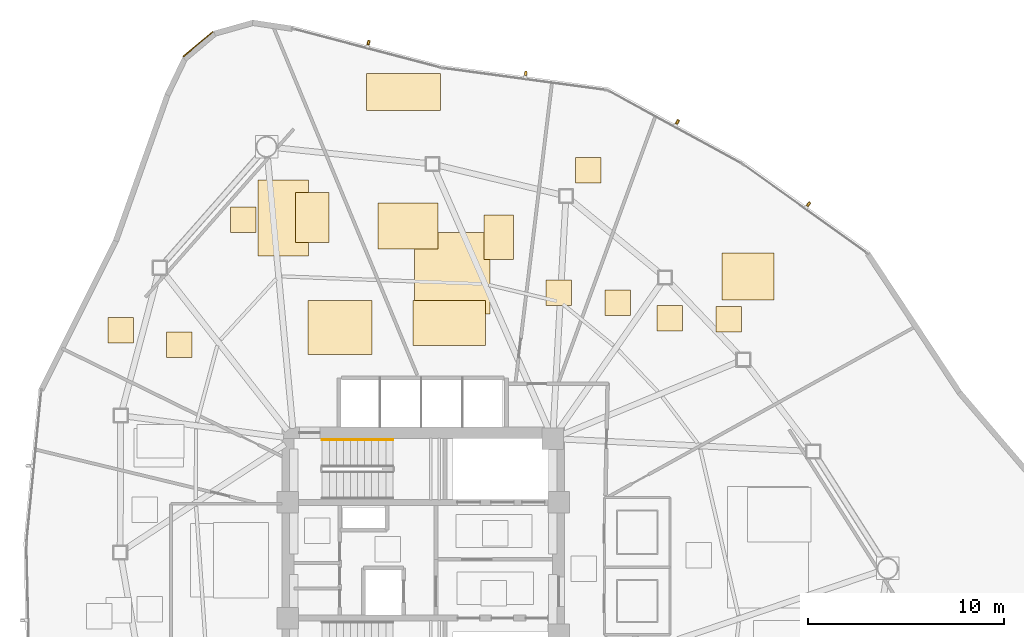
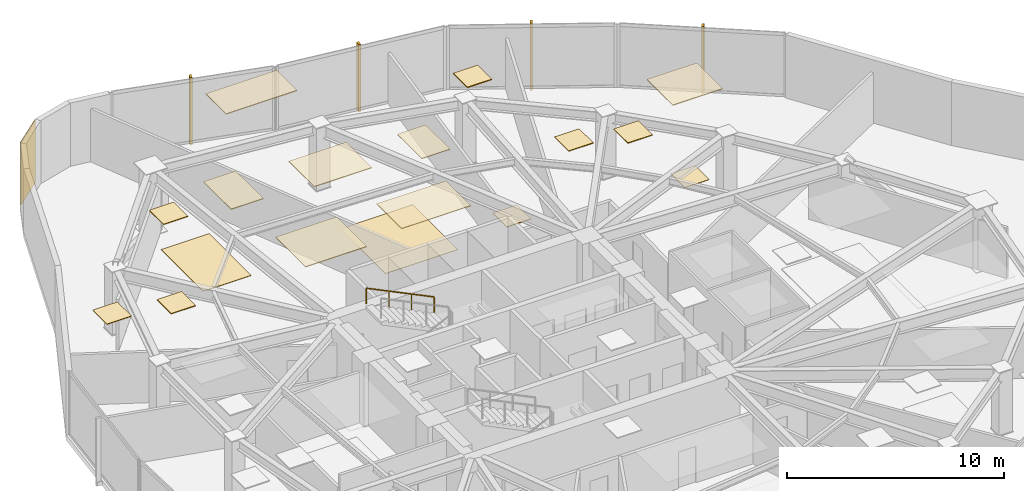
# One storey, part 17 of 17: 18 coverings, 4 shading devices, 1 railing.
"""IFC4 building model written with IfcOpenShell, lengths in metres."""

from ifc_helpers import new_model, si_unit, direction, frame, origin, origin_2d, place, context, subcontext, project, spatial, polyline, rectangle, outline, extrude, source, transform, mapped, material, layer, layer_set, type_object, type_shapes, element, save


model = new_model("IFC4")

# Units and contexts
model_context = context("Model", 3, precision=1e-05, world=origin(), true_north=direction((0.0, 1.0)))
body_context = subcontext(model_context, "Body", "Model", "MODEL_VIEW")
ifc_project = project(units=[si_unit("LENGTHUNIT", "METRE"), si_unit("AREAUNIT", "SQUARE_METRE"), si_unit("VOLUMEUNIT", "CUBIC_METRE"), si_unit("PLANEANGLEUNIT", "RADIAN"), si_unit("MASSUNIT", "GRAM", prefix="KILO")], contexts=[model_context])

# Site, building, storey
site_placement = place(None, origin())
site = spatial("IfcSite", under=ifc_project, at=site_placement, CompositionType="ELEMENT")
building_placement = place(site_placement, origin())
building = spatial("IfcBuilding", under=site, at=building_placement, Name="Tavelor Broadcast Tower", CompositionType="ELEMENT")
storey_placement = place(building_placement, frame((0.0, 0.0, 150.25)))
storey = spatial("IfcBuildingStorey", under=building, at=storey_placement, Name="L35", CompositionType="ELEMENT", Elevation=150.25)

# Covering
ifc_material_1 = material(Name="Copper-Bronze Anodized Aluminium", Category="aluminium")
ifc_layer_1 = layer(ifc_material_1, 0.050048828125)
ifc_layer_set_1 = layer_set([ifc_layer_1], Name="Copper-Bronze Anodized Aluminium")
covering_type_1 = type_object("IfcCoveringType", Name="Champagne-Bronze Corner Pier Metal Cladding 50 mm", PredefinedType="CLADDING", material=ifc_layer_set_1)
covering_1_placement = place(storey_placement, frame((38.5205078125, 71.316162109375, 0.02001953125), z_axis=(0.0, 0.0, 1.0), x_axis=(-0.765483213493, -0.643455864734, 0.0)))
element("IfcCovering", 1, at=covering_1_placement, inside=storey, type_object=covering_type_1, Name="L35 Champagne-Bronze Corner Cladding 03", PredefinedType="CLADDING", context=body_context, shape_type="SweptSolid", body=[
    extrude(rectangle(XDim=1.9716796875, YDim=0.050048828125, at=origin_2d()), origin(), (0.0, 0.0, 1.0), 3.510009765625),
])

# Railing
ifc_material_2 = material(Name="Steel S355", Category="steel")
railing_type = type_object("IfcRailingType", Name="Continuous Brushed Stainless Handrail 900 mm", PredefinedType="HANDRAIL", material=ifc_material_2)
railing_placement = place(storey_placement, frame((48.449951171875, 51.14990234375, 2.10009765625)))
element("IfcRailing", 2, at=railing_placement, inside=storey, type_object=railing_type, Name="L35 ST1 stair handrail 2", PredefinedType="HANDRAIL", context=body_context, shape_type="SweptSolid", body=[
    extrude(rectangle(XDim=0.048095703125, YDim=0.048095703125, at=origin_2d()), frame((0.0, 0.0, 0.8759765625), z_axis=(-0.899360859046, 0.0, 0.437207096483), x_axis=(0.0, -1.0, 0.0)), (0.0, 0.0, 1.0), 4.002685546875),
    extrude(rectangle(XDim=0.0419921875, YDim=0.0419921875, at=origin_2d()), origin(), (0.0, 0.0, 1.0), 0.851806640625),
    extrude(rectangle(XDim=0.0419921875, YDim=0.0419921875, at=origin_2d()), frame((-1.199951171875, 0.0, 0.583251953125)), (0.0, 0.0, 1.0), 0.851806640625),
    extrude(rectangle(XDim=0.0419921875, YDim=0.0419921875, at=origin_2d()), frame((-2.39990234375, 0.0, 1.166748046875)), (0.0, 0.0, 1.0), 0.851806640625),
    extrude(rectangle(XDim=0.0419921875, YDim=0.0419921875, at=origin_2d()), frame((-3.599853515625, 0.0, 1.75)), (0.0, 0.0, 1.0), 0.851806640625),
])

# Coverings
ifc_material_3 = material(Name="Acoustic Nylon Carpet Tile")
ifc_layer_2 = layer(ifc_material_3, 0.02001953125)
ifc_layer_set_2 = layer_set([ifc_layer_2], Name="Acoustic Nylon Carpet Tile")
covering_type_2 = type_object("IfcCoveringType", Name="Heavy-Duty Acoustic Broadcast Carpet Tile 20 mm", PredefinedType="FLOORING", material=ifc_layer_set_2)
covering_2_placement = place(storey_placement, origin())
element("IfcCovering", 3, at=covering_2_placement, inside=storey, type_object=covering_type_2, Name="L35 Broadcast Floor Finish 0511", PredefinedType="FLOORING", context=body_context, shape_type="SweptSolid", body=[
    extrude(outline(polyline([(41.58642578125, 60.51171875), (44.143310546875, 60.51171875), (44.143310546875, 64.379150390625), (41.58642578125, 64.379150390625), (41.58642578125, 60.51171875)])), origin(), (0.0, 0.0, 1.0), 0.02001953125),
])
covering_3_placement = place(storey_placement, origin())
element("IfcCovering", 4, at=covering_3_placement, inside=storey, type_object=covering_type_2, Name="L35 Broadcast Floor Finish 0512", PredefinedType="FLOORING", context=body_context, shape_type="SweptSolid", body=[
    extrude(outline(polyline([(49.55029296875, 57.54248046875), (53.4072265625, 57.54248046875), (53.4072265625, 61.69970703125), (49.55029296875, 61.69970703125), (49.55029296875, 57.54248046875)])), origin(), (0.0, 0.0, 1.0), 0.02001953125),
])
covering_4_placement = place(storey_placement, origin())
element("IfcCovering", 5, at=covering_4_placement, inside=storey, type_object=covering_type_2, Name="L35 Broadcast Floor Finish 0514", PredefinedType="FLOORING", context=body_context, shape_type="SweptSolid", body=[
    extrude(outline(polyline([(64.920166015625, 56.6318359375), (66.22021484375, 56.6318359375), (66.22021484375, 57.931884765625), (64.920166015625, 57.931884765625), (64.920166015625, 56.6318359375)])), origin(), (0.0, 0.0, 1.0), 0.02001953125),
])
ifc_material_4 = material(Name="Acoustic Hardwood Studio Flooring", Category="wood")
ifc_layer_3 = layer(ifc_material_4, 0.034912109375)
ifc_layer_set_3 = layer_set([ifc_layer_3], Name="Acoustic Hardwood Studio Flooring")
covering_type_3 = type_object("IfcCoveringType", Name="Isolated Studio Acoustic Elastomeric Floor Finish 35 mm", PredefinedType="FLOORING", material=ifc_layer_set_3)
covering_5_placement = place(storey_placement, origin())
element("IfcCovering", 6, at=covering_5_placement, inside=storey, type_object=covering_type_3, Name="L35 Broadcast Floor Finish 0513", PredefinedType="FLOORING", context=body_context, shape_type="SweptSolid", body=[
    extrude(outline(polyline([(56.250244140625, 57.981689453125), (57.55029296875, 57.981689453125), (57.55029296875, 59.28173828125), (56.250244140625, 59.28173828125), (56.250244140625, 57.981689453125)])), origin(), (0.0, 0.0, 1.0), 0.034912109375),
])
ifc_material_5 = material(Name="Acoustic Perforated Timber Baffle", Category="wood")
ifc_layer_4 = layer(ifc_material_5, 0.054931640625)
ifc_layer_set_4 = layer_set([ifc_layer_4], Name="Acoustic Perforated Timber Baffle")
covering_type_4 = type_object("IfcCoveringType", Name="Micro-Perforated Acoustic Baffle Studio Ceiling 55 mm", PredefinedType="CEILING", material=ifc_layer_set_4)
covering_6_placement = place(storey_placement, frame((0.0, 0.0, 3.4951171875)))
element("IfcCovering", 7, at=covering_6_placement, inside=storey, type_object=covering_type_4, Name="L35 Suspended Acoustic Ceiling 1462", PredefinedType="CEILING", context=body_context, shape_type="SweptSolid", body=[
    extrude(outline(polyline([(57.771484375, 64.239013671875), (59.071533203125, 64.239013671875), (59.071533203125, 65.5390625), (57.771484375, 65.5390625), (57.771484375, 64.239013671875)])), origin(), (0.0, 0.0, 1.0), 0.054931640625),
])
ifc_material_6 = material(Name="Acoustic Mineral Fibre Tile")
ifc_layer_5 = layer(ifc_material_6, 0.0400390625)
ifc_layer_set_5 = layer_set([ifc_layer_5], Name="Acoustic Mineral Fibre Tile")
covering_type_5 = type_object("IfcCoveringType", Name="Suspended Acoustic Mineral-Fibre Office Ceiling 40 mm", PredefinedType="CEILING", material=ifc_layer_set_5)
covering_7_placement = place(storey_placement, frame((0.0, 0.0, 3.510009765625)))
element("IfcCovering", 8, at=covering_7_placement, inside=storey, type_object=covering_type_5, Name="L35 Suspended Acoustic Ceiling 1453", PredefinedType="CEILING", context=body_context, shape_type="SweptSolid", body=[
    extrude(outline(polyline([(40.17724609375, 61.71240234375), (41.477294921875, 61.71240234375), (41.477294921875, 63.012451171875), (40.17724609375, 63.012451171875), (40.17724609375, 61.71240234375)])), origin(), (0.0, 0.0, 1.0), 0.0400390625),
])
covering_8_placement = place(storey_placement, frame((0.0, 0.0, 3.510009765625)))
element("IfcCovering", 9, at=covering_8_placement, inside=storey, type_object=covering_type_5, Name="L35 Suspended Acoustic Ceiling 1454", PredefinedType="CEILING", context=body_context, shape_type="SweptSolid", body=[
    extrude(outline(polyline([(43.477294921875, 61.205322265625), (45.19580078125, 61.205322265625), (45.19580078125, 63.75537109375), (43.477294921875, 63.75537109375), (43.477294921875, 61.205322265625)])), origin(), (0.0, 0.0, 1.0), 0.0400390625),
])
covering_9_placement = place(storey_placement, frame((0.0, 0.0, 3.510009765625)))
element("IfcCovering", 10, at=covering_9_placement, inside=storey, type_object=covering_type_5, Name="L35 Suspended Acoustic Ceiling 1455", PredefinedType="CEILING", context=body_context, shape_type="SweptSolid", body=[
    extrude(outline(polyline([(44.131103515625, 55.496826171875), (47.38525390625, 55.496826171875), (47.38525390625, 58.2451171875), (44.131103515625, 58.2451171875), (44.131103515625, 55.496826171875)])), origin(), (0.0, 0.0, 1.0), 0.0400390625),
])
covering_10_placement = place(storey_placement, frame((0.0, 0.0, 3.510009765625)))
element("IfcCovering", 11, at=covering_10_placement, inside=storey, type_object=covering_type_5, Name="L35 Suspended Acoustic Ceiling 1456", PredefinedType="CEILING", context=body_context, shape_type="SweptSolid", body=[
    extrude(outline(polyline([(36.904296875, 55.33349609375), (38.204345703125, 55.33349609375), (38.204345703125, 56.633544921875), (36.904296875, 56.633544921875), (36.904296875, 55.33349609375)])), origin(), (0.0, 0.0, 1.0), 0.0400390625),
])
covering_11_placement = place(storey_placement, frame((0.0, 0.0, 3.510009765625)))
element("IfcCovering", 12, at=covering_11_placement, inside=storey, type_object=covering_type_5, Name="L35 Suspended Acoustic Ceiling 1457", PredefinedType="CEILING", context=body_context, shape_type="SweptSolid", body=[
    extrude(outline(polyline([(33.9267578125, 56.078857421875), (35.226806640625, 56.078857421875), (35.226806640625, 57.37890625), (33.9267578125, 57.37890625), (33.9267578125, 56.078857421875)])), origin(), (0.0, 0.0, 1.0), 0.0400390625),
])
covering_12_placement = place(storey_placement, frame((0.0, 0.0, 3.510009765625)))
element("IfcCovering", 13, at=covering_12_placement, inside=storey, type_object=covering_type_5, Name="L35 Suspended Acoustic Ceiling 1458", PredefinedType="CEILING", context=body_context, shape_type="SweptSolid", body=[
    extrude(outline(polyline([(47.095703125, 67.936767578125), (50.8671875, 67.936767578125), (50.8671875, 69.8076171875), (47.095703125, 69.8076171875), (47.095703125, 67.936767578125)])), origin(), (0.0, 0.0, 1.0), 0.0400390625),
])
covering_13_placement = place(storey_placement, frame((0.0, 0.0, 3.510009765625)))
element("IfcCovering", 14, at=covering_13_placement, inside=storey, type_object=covering_type_5, Name="L35 Suspended Acoustic Ceiling 1459", PredefinedType="CEILING", context=body_context, shape_type="SweptSolid", body=[
    extrude(outline(polyline([(53.09912109375, 60.337158203125), (54.60400390625, 60.337158203125), (54.60400390625, 62.590087890625), (53.09912109375, 62.590087890625), (53.09912109375, 60.337158203125)])), origin(), (0.0, 0.0, 1.0), 0.0400390625),
])
covering_14_placement = place(storey_placement, frame((0.0, 0.0, 3.510009765625)))
element("IfcCovering", 15, at=covering_14_placement, inside=storey, type_object=covering_type_5, Name="L35 Suspended Acoustic Ceiling 1460", PredefinedType="CEILING", context=body_context, shape_type="SweptSolid", body=[
    extrude(outline(polyline([(49.489013671875, 55.943359375), (53.163330078125, 55.943359375), (53.163330078125, 58.2314453125), (49.489013671875, 58.2314453125), (49.489013671875, 55.943359375)])), origin(), (0.0, 0.0, 1.0), 0.0400390625),
])
covering_15_placement = place(storey_placement, frame((0.0, 0.0, 3.510009765625)))
element("IfcCovering", 16, at=covering_15_placement, inside=storey, type_object=covering_type_5, Name="L35 Suspended Acoustic Ceiling 1461", PredefinedType="CEILING", context=body_context, shape_type="SweptSolid", body=[
    extrude(outline(polyline([(47.693115234375, 60.862060546875), (50.74560546875, 60.862060546875), (50.74560546875, 63.2138671875), (47.693115234375, 63.2138671875), (47.693115234375, 60.862060546875)])), origin(), (0.0, 0.0, 1.0), 0.0400390625),
])
covering_16_placement = place(storey_placement, frame((0.0, 0.0, 3.510009765625)))
element("IfcCovering", 17, at=covering_16_placement, inside=storey, type_object=covering_type_5, Name="L35 Suspended Acoustic Ceiling 1463", PredefinedType="CEILING", context=body_context, shape_type="SweptSolid", body=[
    extrude(outline(polyline([(59.25732421875, 57.488037109375), (60.557373046875, 57.488037109375), (60.557373046875, 58.7880859375), (59.25732421875, 58.7880859375), (59.25732421875, 57.488037109375)])), origin(), (0.0, 0.0, 1.0), 0.0400390625),
])
covering_17_placement = place(storey_placement, frame((0.0, 0.0, 3.510009765625)))
element("IfcCovering", 18, at=covering_17_placement, inside=storey, type_object=covering_type_5, Name="L35 Suspended Acoustic Ceiling 1464", PredefinedType="CEILING", context=body_context, shape_type="SweptSolid", body=[
    extrude(outline(polyline([(65.234130859375, 58.277099609375), (67.89306640625, 58.277099609375), (67.89306640625, 60.658447265625), (65.234130859375, 60.658447265625), (65.234130859375, 58.277099609375)])), origin(), (0.0, 0.0, 1.0), 0.0400390625),
])
covering_18_placement = place(storey_placement, frame((0.0, 0.0, 3.510009765625)))
element("IfcCovering", 19, at=covering_18_placement, inside=storey, type_object=covering_type_5, Name="L35 Suspended Acoustic Ceiling 1465", PredefinedType="CEILING", context=body_context, shape_type="SweptSolid", body=[
    extrude(outline(polyline([(61.929931640625, 56.683837890625), (63.22998046875, 56.683837890625), (63.22998046875, 57.98388671875), (61.929931640625, 57.98388671875), (61.929931640625, 56.683837890625)])), origin(), (0.0, 0.0, 1.0), 0.0400390625),
])

# Shading devices
ifc_material_7 = material(Name="Kiln-Fired Glazed Terracotta", Category="masonry")
shading_device_type = type_object("IfcShadingDeviceType", Name="Extruded Terracotta Baguette Sun-Screen 110x240", PredefinedType="JALOUSIE", material=ifc_material_7)
shared_shape = source(origin(), body_context, "Body", "SweptSolid", [
    extrude(rectangle(XDim=0.110107421875, YDim=0.239990234375, at=origin_2d()), origin(), (0.0, 0.0, 1.0), 3.7900390625),
])
type_shapes(shading_device_type, [shared_shape])
for number, where, z_axis, x_axis, name in (
    (20, (69.647705078125, 63.158203125, -0.260009765625), (0.0, 0.0, 1.0), (-0.813303910756, 0.581839108989, 0.0), "L35 Terracotta Baguette Fin 357"),
    (21, (62.9638671875, 67.35107421875, -0.260009765625), (0.0, 0.0, 1.0), (-0.877732212617, 0.479151503112, 0.0), "L35 Terracotta Baguette Fin 358"),
    (22, (55.2255859375, 69.82470703125, -0.260009765625), (0.0, 0.0, 1.0), (-0.991122966327, 0.132948356962, 0.0), "L35 Terracotta Baguette Fin 359"),
    (23, (47.2099609375, 71.3896484375, -0.260009765625), (0.0, 0.0, 1.0), (-0.967179115616, 0.254095569259, 0.0), "L35 Terracotta Baguette Fin 360"),
):
    element("IfcShadingDevice", number, at=place(storey_placement, frame(where, z_axis=z_axis, x_axis=x_axis)), inside=storey, type_object=shading_device_type, Name=name, PredefinedType="JALOUSIE", context=body_context, shape_type="MappedRepresentation", body=[
        mapped(shared_shape, transform((0.0, 0.0, 0.0), scale=1.0)),
    ])

save(model, "model.ifc")
